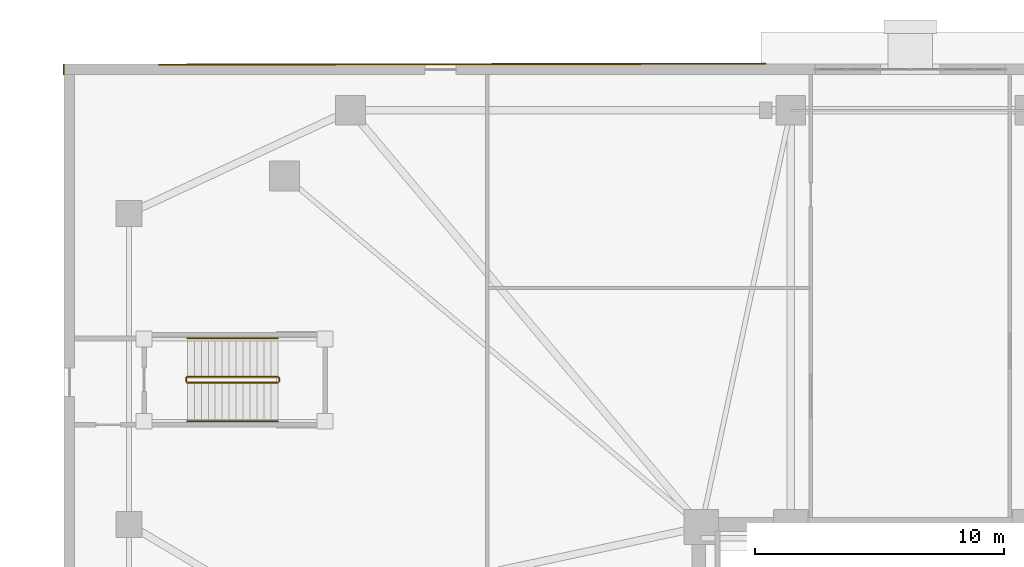
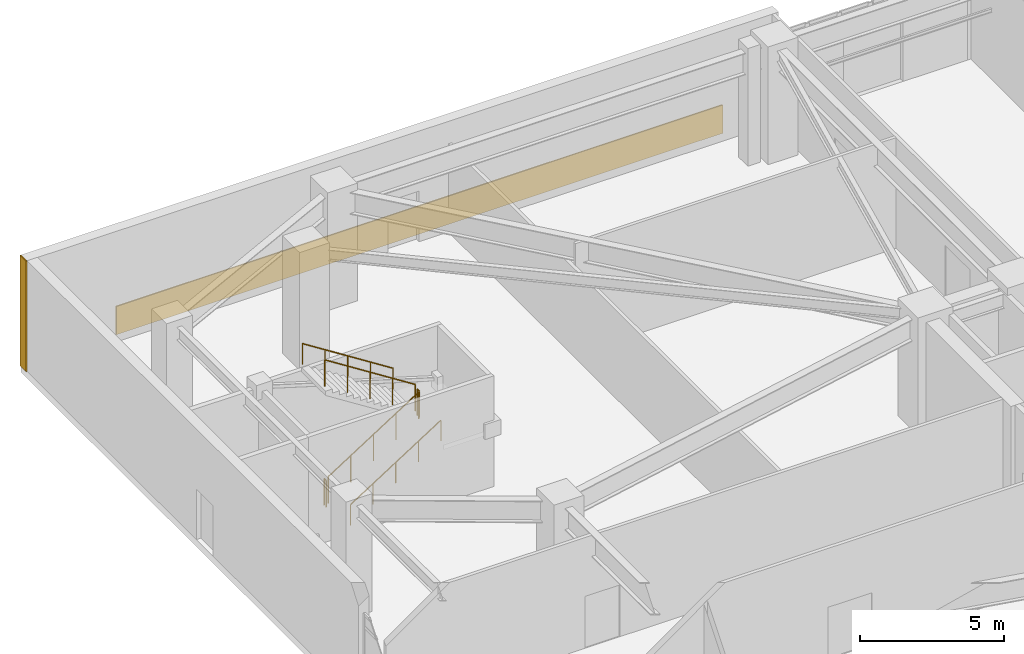
# One storey, part 18 of 21: 6 railings, 2 coverings.
"""IFC4 building model written with IfcOpenShell, lengths in metres."""

from ifc_helpers import new_model, si_unit, direction, frame, frame_2d, origin, origin_2d, place, context, subcontext, project, spatial, rectangle, circle, extrude, material, layer, layer_set, type_object, element, save


model = new_model("IFC4")

# Units and contexts
model_context = context("Model", 3, precision=1e-05, world=origin(), true_north=direction((0.0, 1.0)))
body_context = subcontext(model_context, "Body", "Model", "MODEL_VIEW")
ifc_project = project(units=[si_unit("LENGTHUNIT", "METRE"), si_unit("AREAUNIT", "SQUARE_METRE"), si_unit("VOLUMEUNIT", "CUBIC_METRE"), si_unit("PLANEANGLEUNIT", "RADIAN"), si_unit("MASSUNIT", "GRAM", prefix="KILO")], contexts=[model_context])

# Site, building, storey
site_placement = place(None, origin())
site = spatial("IfcSite", under=ifc_project, at=site_placement, CompositionType="ELEMENT")
building_placement = place(site_placement, origin())
building = spatial("IfcBuilding", under=site, at=building_placement, Name="Cairnveth Concourse Tower", CompositionType="ELEMENT")
storey_placement = place(building_placement, origin())
storey = spatial("IfcBuildingStorey", under=building, at=storey_placement, Name="L00", CompositionType="ELEMENT", Elevation=0.0)

# Coverings
ifc_material_1 = material(Name="Dressed Melbourne Bluestone Cladding", Category="masonry")
ifc_layer = layer(ifc_material_1, 0.050048828125)
ifc_layer_set = layer_set([ifc_layer], Name="Dressed Melbourne Bluestone Cladding")
covering_type = type_object("IfcCoveringType", Name="DRESSED BLUESTONE PLINTH CLADDING 50", PredefinedType="CLADDING", material=ifc_layer_set)
covering_1_placement = place(storey_placement, frame((21.800048828125, 65.97998046875, 0.0), z_axis=(0.0, 0.0, 1.0), x_axis=(0.999998653641, 0.001640949543, 0.0)))
element("IfcCovering", 1, at=covering_1_placement, inside=storey, type_object=covering_type, Name="Melbourne Bluestone Plinth Cladding CL-L00-N1", PredefinedType="CLADDING", context=body_context, shape_type="SweptSolid", body=[
    extrude(rectangle(XDim=24.39990234375, YDim=0.050048828125, at=frame_2d((12.199951171875, 0.0))), origin(), (0.0, 0.0, 1.0), 1.199951171875),
])
covering_2_placement = place(storey_placement, frame((17.97998046875, 65.580078125, 0.0), z_axis=(0.0, 0.0, 1.0), x_axis=(0.0, 1.0, 0.0)))
element("IfcCovering", 2, at=covering_2_placement, inside=storey, type_object=covering_type, Name="Melbourne Bluestone Corner Quoin L00-1", PredefinedType="CLADDING", context=body_context, shape_type="SweptSolid", body=[
    extrude(rectangle(XDim=0.419921875, YDim=0.050048828125, at=frame_2d((0.2099609375, 0.0))), origin(), (0.0, 0.0, 1.0), 4.699951171875),
])

# Railings
ifc_material_2 = material(Name="Steel Grade 350", Category="steel")
railing_type_1 = type_object("IfcRailingType", Name="STAIR GUARDRAIL 1150", PredefinedType="GUARDRAIL", material=ifc_material_2)
railing_1_placement = place(storey_placement, frame((22.949951171875, 53.199951171875, 0.178466796875)))
element("IfcRailing", 3, at=railing_1_placement, inside=storey, type_object=railing_type_1, Name="L00 ST-P1 stair guard 1", PredefinedType="GUARDRAIL", context=body_context, shape_type="SweptSolid", body=[
    extrude(circle(Radius=0.02392578125, at=origin_2d()), frame((0.0, 0.0, 1.1259765625), z_axis=(0.843127859045, 0.0, 0.537713132908), x_axis=(0.0, 1.0, 0.0)), (0.0, 0.0, 1.0), 4.3173828125),
    extrude(circle(Radius=0.02099609375, at=origin_2d()), origin(), (0.0, 0.0, 1.0), 1.101806640625),
    extrude(circle(Radius=0.02099609375, at=origin_2d()), frame((0.91015625, 0.0, 0.580322265625)), (0.0, 0.0, 1.0), 1.101806640625),
    extrude(circle(Radius=0.02099609375, at=origin_2d()), frame((1.820068359375, 0.0, 1.16064453125)), (0.0, 0.0, 1.0), 1.101806640625),
    extrude(circle(Radius=0.02099609375, at=origin_2d()), frame((2.72998046875, 0.0, 1.7412109375)), (0.0, 0.0, 1.0), 1.101806640625),
    extrude(circle(Radius=0.02099609375, at=origin_2d()), frame((3.64013671875, 0.0, 2.321533203125)), (0.0, 0.0, 1.0), 1.101806640625),
])
railing_2_placement = place(storey_placement, frame((26.639892578125, 53.25, 2.5)))
element("IfcRailing", 4, at=railing_2_placement, inside=storey, type_object=railing_type_1, Name="L00 ST-P1 stair guard 2", PredefinedType="GUARDRAIL", context=body_context, shape_type="SweptSolid", body=[
    extrude(circle(Radius=0.02392578125, at=origin_2d()), frame((0.0, 0.0, 1.1259765625), z_axis=(0.0, 1.0, 0.0), x_axis=(-1.0, 0.0, 0.0)), (0.0, 0.0, 1.0), 0.139892578125),
    extrude(circle(Radius=0.02099609375, at=origin_2d()), origin(), (0.0, 0.0, 1.0), 1.101806640625),
    extrude(circle(Radius=0.02099609375, at=origin_2d()), frame((0.0, 0.139892578125, 0.0)), (0.0, 0.0, 1.0), 1.101806640625),
])
railing_3_placement = place(storey_placement, frame((26.590087890625, 53.43994140625, 2.678466796875)))
element("IfcRailing", 5, at=railing_3_placement, inside=storey, type_object=railing_type_1, Name="L00 ST-P1 stair guard 3", PredefinedType="GUARDRAIL", context=body_context, shape_type="SweptSolid", body=[
    extrude(circle(Radius=0.02392578125, at=origin_2d()), frame((0.0, 0.0, 1.1259765625), z_axis=(-0.843127859045, 0.0, 0.537713132908), x_axis=(0.0, -1.0, 0.0)), (0.0, 0.0, 1.0), 4.3173828125),
    extrude(circle(Radius=0.02099609375, at=origin_2d()), origin(), (0.0, 0.0, 1.0), 1.101806640625),
    extrude(circle(Radius=0.02099609375, at=origin_2d()), frame((-0.91015625, 0.0, 0.580322265625)), (0.0, 0.0, 1.0), 1.101806640625),
    extrude(circle(Radius=0.02099609375, at=origin_2d()), frame((-1.820068359375, 0.0, 1.16064453125)), (0.0, 0.0, 1.0), 1.101806640625),
    extrude(circle(Radius=0.02099609375, at=origin_2d()), frame((-2.72998046875, 0.0, 1.7412109375)), (0.0, 0.0, 1.0), 1.101806640625),
    extrude(circle(Radius=0.02099609375, at=origin_2d()), frame((-3.64013671875, 0.0, 2.321533203125)), (0.0, 0.0, 1.0), 1.101806640625),
])
railing_4_placement = place(storey_placement, frame((22.89990234375, 53.25, 0.0)))
element("IfcRailing", 6, at=railing_4_placement, inside=storey, type_object=railing_type_1, Name="L00 ST-P1 stair guard 4", PredefinedType="GUARDRAIL", context=body_context, shape_type="SweptSolid", body=[
    extrude(circle(Radius=0.02392578125, at=origin_2d()), frame((0.0, 0.0, 1.1259765625), z_axis=(0.0, 1.0, 0.0), x_axis=(-1.0, 0.0, 0.0)), (0.0, 0.0, 1.0), 0.139892578125),
    extrude(circle(Radius=0.02099609375, at=origin_2d()), origin(), (0.0, 0.0, 1.0), 1.101806640625),
    extrude(circle(Radius=0.02099609375, at=origin_2d()), frame((0.0, 0.139892578125, 0.0)), (0.0, 0.0, 1.0), 1.101806640625),
])
railing_type_2 = type_object("IfcRailingType", Name="STAIR WALL HANDRAIL 900", PredefinedType="HANDRAIL", material=ifc_material_2)
railing_5_placement = place(storey_placement, frame((22.949951171875, 51.64990234375, 0.178466796875)))
element("IfcRailing", 7, at=railing_5_placement, inside=storey, type_object=railing_type_2, Name="L00 ST-P1 stair handrail 1", PredefinedType="HANDRAIL", context=body_context, shape_type="SweptSolid", body=[
    extrude(circle(Radius=0.02392578125, at=origin_2d()), frame((0.0, 0.0, 0.8759765625), z_axis=(0.843127859045, 0.0, 0.537713132908), x_axis=(0.0, 1.0, 0.0)), (0.0, 0.0, 1.0), 4.3173828125),
    extrude(circle(Radius=0.02099609375, at=origin_2d()), origin(), (0.0, 0.0, 1.0), 0.851806640625),
    extrude(circle(Radius=0.02099609375, at=origin_2d()), frame((0.91015625, 0.0, 0.580322265625)), (0.0, 0.0, 1.0), 0.851806640625),
    extrude(circle(Radius=0.02099609375, at=origin_2d()), frame((1.820068359375, 0.0, 1.16064453125)), (0.0, 0.0, 1.0), 0.851806640625),
    extrude(circle(Radius=0.02099609375, at=origin_2d()), frame((2.72998046875, 0.0, 1.7412109375)), (0.0, 0.0, 1.0), 0.851806640625),
    extrude(circle(Radius=0.02099609375, at=origin_2d()), frame((3.64013671875, 0.0, 2.321533203125)), (0.0, 0.0, 1.0), 0.851806640625),
])
railing_6_placement = place(storey_placement, frame((26.590087890625, 54.989990234375, 2.678466796875)))
element("IfcRailing", 8, at=railing_6_placement, inside=storey, type_object=railing_type_2, Name="L00 ST-P1 stair handrail 2", PredefinedType="HANDRAIL", context=body_context, shape_type="SweptSolid", body=[
    extrude(circle(Radius=0.02392578125, at=origin_2d()), frame((0.0, 0.0, 0.8759765625), z_axis=(-0.843127859045, 0.0, 0.537713132908), x_axis=(0.0, -1.0, 0.0)), (0.0, 0.0, 1.0), 4.3173828125),
    extrude(circle(Radius=0.02099609375, at=origin_2d()), origin(), (0.0, 0.0, 1.0), 0.851806640625),
    extrude(circle(Radius=0.02099609375, at=origin_2d()), frame((-0.91015625, 0.0, 0.580322265625)), (0.0, 0.0, 1.0), 0.851806640625),
    extrude(circle(Radius=0.02099609375, at=origin_2d()), frame((-1.820068359375, 0.0, 1.16064453125)), (0.0, 0.0, 1.0), 0.851806640625),
    extrude(circle(Radius=0.02099609375, at=origin_2d()), frame((-2.72998046875, 0.0, 1.7412109375)), (0.0, 0.0, 1.0), 0.851806640625),
    extrude(circle(Radius=0.02099609375, at=origin_2d()), frame((-3.64013671875, 0.0, 2.321533203125)), (0.0, 0.0, 1.0), 0.851806640625),
])

save(model, "model.ifc")
